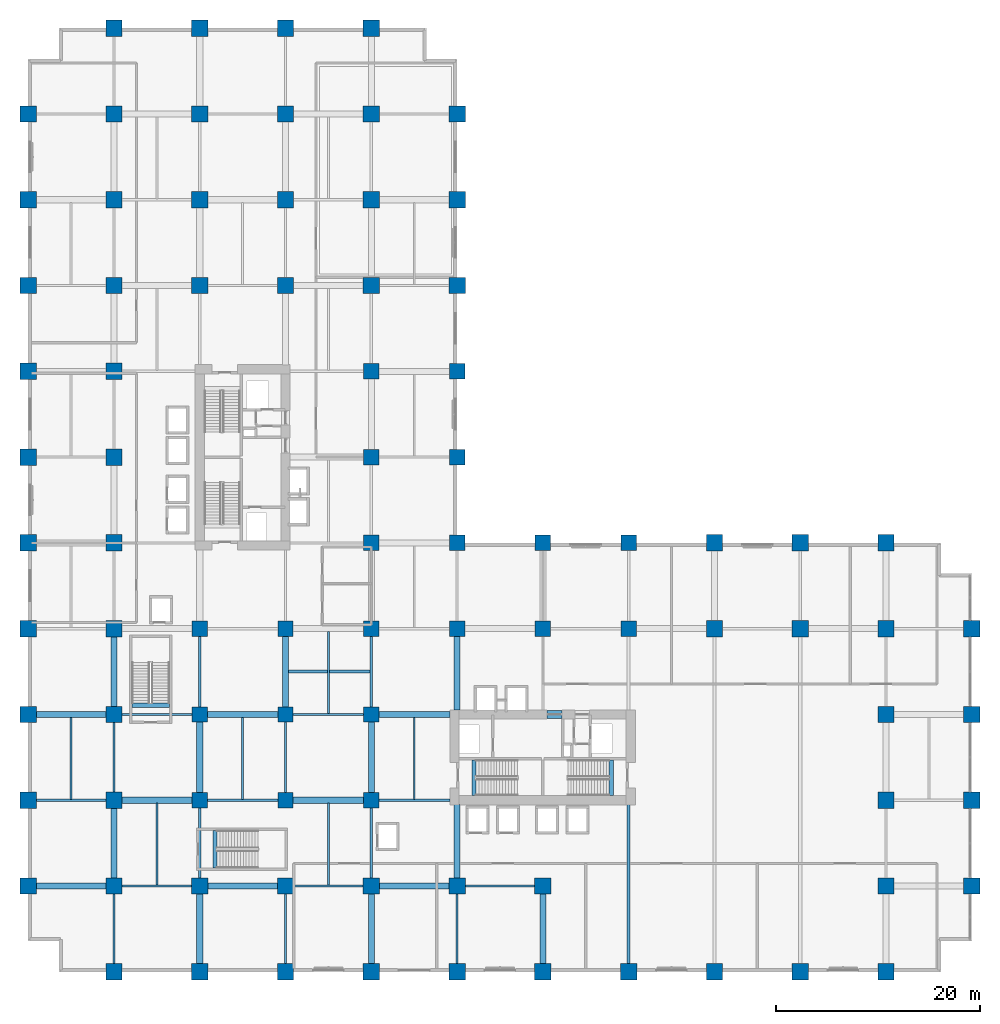
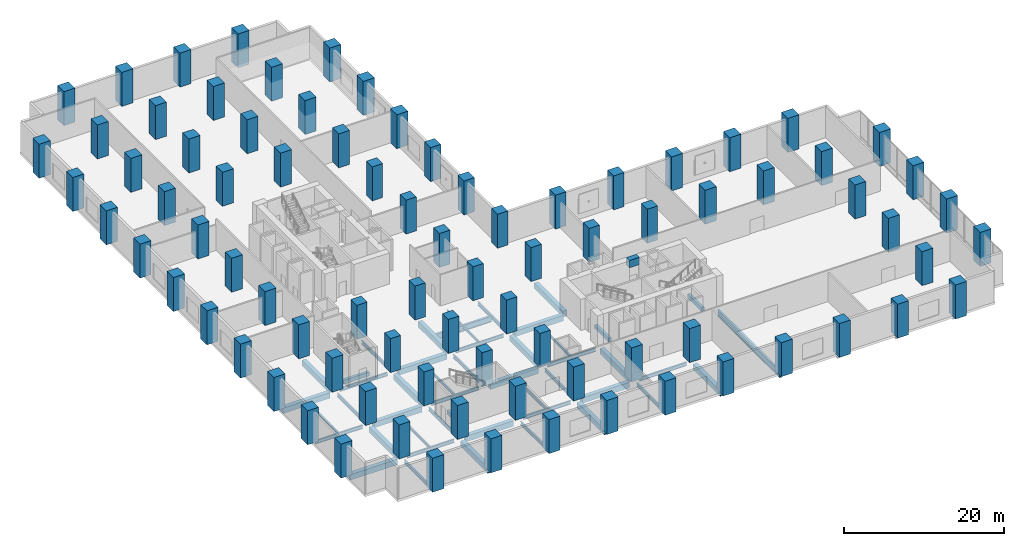
# One storey, part 1 of 23: 84 columns, 48 beams.
"""IFC4 building model written with IfcOpenShell, lengths in metres."""

from ifc_helpers import new_model, si_unit, direction, frame, origin, origin_2d, place, context, subcontext, project, spatial, rectangle, i_section, extrude, material, material_profile, profile_set, type_object, element, save


model = new_model("IFC4")

# Units and contexts
model_context = context("Model", 3, precision=1e-05, world=origin(), true_north=direction((0.0, 1.0)))
body_context = subcontext(model_context, "Body", "Model", "MODEL_VIEW")
ifc_project = project(units=[si_unit("LENGTHUNIT", "METRE"), si_unit("AREAUNIT", "SQUARE_METRE"), si_unit("VOLUMEUNIT", "CUBIC_METRE"), si_unit("PLANEANGLEUNIT", "RADIAN"), si_unit("MASSUNIT", "GRAM", prefix="KILO")], contexts=[model_context])

# Site, building, storey
site_placement = place(None, origin())
site = spatial("IfcSite", under=ifc_project, at=site_placement, CompositionType="ELEMENT")
building_placement = place(site_placement, origin())
building = spatial("IfcBuilding", under=site, at=building_placement, Name="Koriwani Terraces Tower", CompositionType="ELEMENT")
storey_placement = place(building_placement, frame((0.0, 0.0, 20.800048828125)))
storey = spatial("IfcBuildingStorey", under=building, at=storey_placement, Name="L04", CompositionType="ELEMENT", Elevation=20.800048828125)

# Columns
ifc_material_1 = material(Name="Concrete C60/75", Category="concrete")
ifc_material_profile_1 = material_profile(ifc_material_1, rectangle(XDim=1.5, YDim=1.5, at=origin_2d()), Name="Concrete C60/75", Category="LoadBearing")
ifc_profile_set_1 = profile_set([ifc_material_profile_1], Name="Concrete C60/75")
column_type_1 = type_object("IfcColumnType", Name="COL_RC_1500X1500", PredefinedType="COLUMN", material=ifc_profile_set_1)
for number, where, z_axis, x_axis, name in (
    (1, (16.800048828125, 16.800048828125, 0.0), (0.0, 0.0, 1.0), (1.0, 0.0, 0.0), "L04 Column 3/C"),
    (2, (16.800048828125, 25.199951171875, 0.0), (0.0, 0.0, 1.0), (1.0, 0.0, 0.0), "L04 Column 3/D"),
    (3, (16.800048828125, 33.60009765625, 0.0), (0.0, 0.0, 1.0), (1.0, 0.0, 0.0), "L04 Column 3/E"),
    (4, (25.199951171875, 16.800048828125, 0.0), (0.0, 0.0, 1.0), (1.0, 0.0, 0.0), "L04 Column 4/C"),
    (5, (25.199951171875, 25.199951171875, 0.0), (0.0, 0.0, 1.0), (1.0, 0.0, 0.0), "L04 Column 4/D"),
    (6, (25.199951171875, 33.60009765625, 0.0), (0.0, 0.0, 1.0), (1.0, 0.0, 0.0), "L04 Column 4/E"),
    (7, (33.60009765625, 16.800048828125, 0.0), (0.0, 0.0, 1.0), (1.0, 0.0, 0.0), "L04 Column 5/C"),
    (8, (33.60009765625, 25.199951171875, 0.0), (0.0, 0.0, 1.0), (1.0, 0.0, 0.0), "L04 Column 5/D"),
    (9, (33.60009765625, 33.60009765625, 0.0), (0.0, 0.0, 1.0), (1.0, 0.0, 0.0), "L04 Column 5/E"),
    (10, (33.60009765625, 42.0, 0.0), (0.0, 0.0, 1.0), (1.0, 0.0, 0.0), "L04 Column 5/F"),
    (11, (33.60009765625, 50.39990234375, 0.0), (0.0, 0.0, 1.0), (1.0, 0.0, 0.0), "L04 Column 5/G"),
    (12, (33.60009765625, 58.800048828125, 0.0), (0.0, 0.0, 1.0), (1.0, 0.0, 0.0), "L04 Column 5/H"),
    (13, (42.0, 33.60009765625, 0.0), (0.0, 0.0, 1.0), (1.0, 0.0, 0.0), "L04 Column 6/E"),
    (14, (42.0, 42.0, 0.0), (0.0, 0.0, 1.0), (1.0, 0.0, 0.0), "L04 Column 6/F"),
    (15, (42.0, 50.39990234375, 0.0), (0.0, 0.0, 1.0), (1.0, 0.0, 0.0), "L04 Column 6/G"),
    (16, (42.0, 58.800048828125, 0.0), (0.0, 0.0, 1.0), (1.0, 0.0, 0.0), "L04 Column 6/H"),
    (17, (50.39990234375, 33.60009765625, 0.0), (0.0, 0.0, 1.0), (1.0, 0.0, 0.0), "L04 Column 7/E"),
    (18, (50.39990234375, 42.0, 0.0), (0.0, 0.0, 1.0), (1.0, 0.0, 0.0), "L04 Column 7/F"),
    (19, (58.800048828125, 33.60009765625, 0.0), (0.0, 0.0, 1.0), (1.0, 0.0, 0.0), "L04 Column 8/E"),
    (20, (58.800048828125, 42.0, 0.0), (0.0, 0.0, 1.0), (1.0, 0.0, 0.0), "L04 Column 8/F"),
):
    element("IfcColumn", number, at=place(storey_placement, frame(where, z_axis=z_axis, x_axis=x_axis)), inside=storey, type_object=column_type_1, Name=name, PredefinedType="COLUMN", context=body_context, shape_type="SweptSolid", body=[
        extrude(rectangle(XDim=1.5, YDim=1.5, at=origin_2d()), origin(), (0.0, 0.0, 1.0), 5.199951171875),
    ])
ifc_material_profile_2 = material_profile(ifc_material_1, rectangle(XDim=1.60009765625, YDim=1.60009765625, at=origin_2d()), Name="Concrete C60/75", Category="LoadBearing")
ifc_profile_set_2 = profile_set([ifc_material_profile_2], Name="Concrete C60/75")
column_type_2 = type_object("IfcColumnType", Name="COL_RC_1600X1600", PredefinedType="COLUMN", material=ifc_profile_set_2)
for number, where, z_axis, x_axis, name in (
    (21, (0.0, 8.39990234375, 0.0), (0.0, 0.0, 1.0), (1.0, 0.0, 0.0), "L04 Column 1/B"),
    (22, (0.0, 16.800048828125, 0.0), (0.0, 0.0, 1.0), (1.0, 0.0, 0.0), "L04 Column 1/C"),
    (23, (0.0, 25.199951171875, 0.0), (0.0, 0.0, 1.0), (1.0, 0.0, 0.0), "L04 Column 1/D"),
    (24, (0.0, 33.60009765625, 0.0), (0.0, 0.0, 1.0), (1.0, 0.0, 0.0), "L04 Column 1/E"),
    (25, (0.0, 42.0, 0.0), (0.0, 0.0, 1.0), (1.0, 0.0, 0.0), "L04 Column 1/F"),
    (26, (0.0, 50.39990234375, 0.0), (0.0, 0.0, 1.0), (1.0, 0.0, 0.0), "L04 Column 1/G"),
    (27, (0.0, 58.800048828125, 0.0), (0.0, 0.0, 1.0), (1.0, 0.0, 0.0), "L04 Column 1/H"),
    (28, (0.0, 67.199951171875, 0.0), (0.0, 0.0, 1.0), (1.0, 0.0, 0.0), "L04 Column 1/I"),
    (29, (0.0, 75.60009765625, 0.0), (0.0, 0.0, 1.0), (1.0, 0.0, 0.0), "L04 Column 1/J"),
    (30, (0.0, 84.0, 0.0), (0.0, 0.0, 1.0), (1.0, 0.0, 0.0), "L04 Column 1/K"),
    (31, (8.39990234375, 0.0, 0.0), (0.0, 0.0, 1.0), (1.0, 0.0, 0.0), "L04 Column 2/A"),
    (32, (8.39990234375, 8.39990234375, 0.0), (0.0, 0.0, 1.0), (1.0, 0.0, 0.0), "L04 Column 2/B"),
    (33, (8.39990234375, 16.800048828125, 0.0), (0.0, 0.0, 1.0), (1.0, 0.0, 0.0), "L04 Column 2/C"),
    (34, (8.39990234375, 25.199951171875, 0.0), (0.0, 0.0, 1.0), (1.0, 0.0, 0.0), "L04 Column 2/D"),
    (35, (8.39990234375, 33.60009765625, 0.0), (0.0, 0.0, 1.0), (1.0, 0.0, 0.0), "L04 Column 2/E"),
    (36, (8.39990234375, 42.0, 0.0), (0.0, 0.0, 1.0), (1.0, 0.0, 0.0), "L04 Column 2/F"),
    (37, (8.39990234375, 50.39990234375, 0.0), (0.0, 0.0, 1.0), (1.0, 0.0, 0.0), "L04 Column 2/G"),
    (38, (8.39990234375, 58.800048828125, 0.0), (0.0, 0.0, 1.0), (1.0, 0.0, 0.0), "L04 Column 2/H"),
    (39, (8.39990234375, 67.199951171875, 0.0), (0.0, 0.0, 1.0), (1.0, 0.0, 0.0), "L04 Column 2/I"),
    (40, (8.39990234375, 75.60009765625, 0.0), (0.0, 0.0, 1.0), (1.0, 0.0, 0.0), "L04 Column 2/J"),
    (41, (8.39990234375, 84.0, 0.0), (0.0, 0.0, 1.0), (1.0, 0.0, 0.0), "L04 Column 2/K"),
    (42, (8.39990234375, 92.39990234375, 0.0), (0.0, 0.0, 1.0), (1.0, 0.0, 0.0), "L04 Column 2/L"),
    (43, (16.800048828125, 0.0, 0.0), (0.0, 0.0, 1.0), (1.0, 0.0, 0.0), "L04 Column 3/A"),
    (44, (16.800048828125, 8.39990234375, 0.0), (0.0, 0.0, 1.0), (1.0, 0.0, 0.0), "L04 Column 3/B"),
    (45, (16.800048828125, 67.199951171875, 0.0), (0.0, 0.0, 1.0), (1.0, 0.0, 0.0), "L04 Column 3/I"),
    (46, (16.800048828125, 75.60009765625, 0.0), (0.0, 0.0, 1.0), (1.0, 0.0, 0.0), "L04 Column 3/J"),
    (47, (16.800048828125, 84.0, 0.0), (0.0, 0.0, 1.0), (1.0, 0.0, 0.0), "L04 Column 3/K"),
    (48, (16.800048828125, 92.39990234375, 0.0), (0.0, 0.0, 1.0), (1.0, 0.0, 0.0), "L04 Column 3/L"),
    (49, (25.199951171875, 0.0, 0.0), (0.0, 0.0, 1.0), (1.0, 0.0, 0.0), "L04 Column 4/A"),
    (50, (25.199951171875, 8.39990234375, 0.0), (0.0, 0.0, 1.0), (1.0, 0.0, 0.0), "L04 Column 4/B"),
    (51, (25.199951171875, 67.199951171875, 0.0), (0.0, 0.0, 1.0), (1.0, 0.0, 0.0), "L04 Column 4/I"),
    (52, (25.199951171875, 75.60009765625, 0.0), (0.0, 0.0, 1.0), (1.0, 0.0, 0.0), "L04 Column 4/J"),
    (53, (25.199951171875, 84.0, 0.0), (0.0, 0.0, 1.0), (1.0, 0.0, 0.0), "L04 Column 4/K"),
    (54, (25.199951171875, 92.39990234375, 0.0), (0.0, 0.0, 1.0), (1.0, 0.0, 0.0), "L04 Column 4/L"),
    (55, (33.60009765625, 0.0, 0.0), (0.0, 0.0, 1.0), (1.0, 0.0, 0.0), "L04 Column 5/A"),
    (56, (33.60009765625, 8.39990234375, 0.0), (0.0, 0.0, 1.0), (1.0, 0.0, 0.0), "L04 Column 5/B"),
    (57, (33.60009765625, 67.199951171875, 0.0), (0.0, 0.0, 1.0), (1.0, 0.0, 0.0), "L04 Column 5/I"),
    (58, (33.60009765625, 75.60009765625, 0.0), (0.0, 0.0, 1.0), (1.0, 0.0, 0.0), "L04 Column 5/J"),
    (59, (33.60009765625, 84.0, 0.0), (0.0, 0.0, 1.0), (1.0, 0.0, 0.0), "L04 Column 5/K"),
    (60, (33.60009765625, 92.39990234375, 0.0), (0.0, 0.0, 1.0), (1.0, 0.0, 0.0), "L04 Column 5/L"),
    (61, (42.0, 0.0, 0.0), (0.0, 0.0, 1.0), (1.0, 0.0, 0.0), "L04 Column 6/A"),
    (62, (42.0, 8.39990234375, 0.0), (0.0, 0.0, 1.0), (1.0, 0.0, 0.0), "L04 Column 6/B"),
    (63, (42.0, 67.199951171875, 0.0), (0.0, 0.0, 1.0), (1.0, 0.0, 0.0), "L04 Column 6/I"),
    (64, (42.0, 75.60009765625, 0.0), (0.0, 0.0, 1.0), (1.0, 0.0, 0.0), "L04 Column 6/J"),
    (65, (42.0, 84.0, 0.0), (0.0, 0.0, 1.0), (1.0, 0.0, 0.0), "L04 Column 6/K"),
    (66, (50.39990234375, 0.0, 0.0), (0.0, 0.0, 1.0), (1.0, 0.0, 0.0), "L04 Column 7/A"),
    (67, (50.39990234375, 8.39990234375, 0.0), (0.0, 0.0, 1.0), (1.0, 0.0, 0.0), "L04 Column 7/B"),
    (68, (58.800048828125, 0.0, 0.0), (0.0, 0.0, 1.0), (1.0, 0.0, 0.0), "L04 Column 8/A"),
    (69, (67.199951171875, 0.0, 0.0), (0.0, 0.0, 1.0), (1.0, 0.0, 0.0), "L04 Column 9/A"),
    (70, (67.199951171875, 33.60009765625, 0.0), (0.0, 0.0, 1.0), (1.0, 0.0, 0.0), "L04 Column 9/E"),
    (71, (67.199951171875, 42.0, 0.0), (0.0, 0.0, 1.0), (1.0, 0.0, 0.0), "L04 Column 9/F"),
    (72, (75.60009765625, 0.0, 0.0), (0.0, 0.0, 1.0), (1.0, 0.0, 0.0), "L04 Column 10/A"),
    (73, (75.60009765625, 33.60009765625, 0.0), (0.0, 0.0, 1.0), (1.0, 0.0, 0.0), "L04 Column 10/E"),
    (74, (75.60009765625, 42.0, 0.0), (0.0, 0.0, 1.0), (1.0, 0.0, 0.0), "L04 Column 10/F"),
    (75, (84.0, 0.0, 0.0), (0.0, 0.0, 1.0), (1.0, 0.0, 0.0), "L04 Column 11/A"),
    (76, (84.0, 8.39990234375, 0.0), (0.0, 0.0, 1.0), (1.0, 0.0, 0.0), "L04 Column 11/B"),
    (77, (84.0, 16.800048828125, 0.0), (0.0, 0.0, 1.0), (1.0, 0.0, 0.0), "L04 Column 11/C"),
    (78, (84.0, 25.199951171875, 0.0), (0.0, 0.0, 1.0), (1.0, 0.0, 0.0), "L04 Column 11/D"),
    (79, (84.0, 33.60009765625, 0.0), (0.0, 0.0, 1.0), (1.0, 0.0, 0.0), "L04 Column 11/E"),
    (80, (84.0, 42.0, 0.0), (0.0, 0.0, 1.0), (1.0, 0.0, 0.0), "L04 Column 11/F"),
    (81, (92.39990234375, 8.39990234375, 0.0), (0.0, 0.0, 1.0), (1.0, 0.0, 0.0), "L04 Column 12/B"),
    (82, (92.39990234375, 16.800048828125, 0.0), (0.0, 0.0, 1.0), (1.0, 0.0, 0.0), "L04 Column 12/C"),
    (83, (92.39990234375, 25.199951171875, 0.0), (0.0, 0.0, 1.0), (1.0, 0.0, 0.0), "L04 Column 12/D"),
    (84, (92.39990234375, 33.60009765625, 0.0), (0.0, 0.0, 1.0), (1.0, 0.0, 0.0), "L04 Column 12/E"),
):
    element("IfcColumn", number, at=place(storey_placement, frame(where, z_axis=z_axis, x_axis=x_axis)), inside=storey, type_object=column_type_2, Name=name, PredefinedType="COLUMN", context=body_context, shape_type="SweptSolid", body=[
        extrude(rectangle(XDim=1.60009765625, YDim=1.60009765625, at=origin_2d()), origin(), (0.0, 0.0, 1.0), 5.199951171875),
    ])

# Beams
ifc_material_profile_3 = material_profile(ifc_material_1, rectangle(XDim=0.800048828125, YDim=1.10009765625, at=origin_2d()), Name="Concrete C60/75", Category="LoadBearing")
ifc_profile_set_3 = profile_set([ifc_material_profile_3], Name="Concrete C60/75")
beam_type_1 = type_object("IfcBeamType", Name="BEAM_RC_COUPLING_800X1100", PredefinedType="LINTEL", material=ifc_profile_set_3)
beam_1_placement = place(storey_placement, frame((50.800048828125, 25.199951171875, 4.199951171875), z_axis=(1.0, 0.0, 0.0), x_axis=(0.0, 1.0, 0.0)))
element("IfcBeam", 85, at=beam_1_placement, inside=storey, type_object=beam_type_1, Name="L04 Core Coupling Lintel Beam EN1", PredefinedType="LINTEL", context=body_context, shape_type="SweptSolid", body=[
    extrude(rectangle(XDim=0.800048828125, YDim=1.10009765625, at=origin_2d()), origin(), (0.0, 0.0, 1.0), 1.47998046875),
])
ifc_material_2 = material(Name="Concrete C40/50", Category="concrete")
ifc_material_profile_4 = material_profile(ifc_material_2, rectangle(XDim=0.39990234375, YDim=0.60009765625, at=origin_2d()), Name="Concrete C40/50", Category="LoadBearing")
ifc_profile_set_4 = profile_set([ifc_material_profile_4], Name="Concrete C40/50")
beam_type_2 = type_object("IfcBeamType", Name="BEAM_RC_GRID_400X600", PredefinedType="BEAM", material=ifc_profile_set_4)
for number, where, z_axis, x_axis, name in (
    (86, (43.655029296875, 17.25, -0.300048828125), (0.0, 1.0, 0.0), (-1.0, 0.0, 0.0), "L04 Stairwell Header Trimmer Beam ST-E1"),
    (87, (57.094970703125, 17.25, -0.300048828125), (0.0, 1.0, 0.0), (-1.0, 0.0, 0.0), "L04 Stairwell Header Trimmer Beam ST-E2"),
):
    element("IfcBeam", number, at=place(storey_placement, frame(where, z_axis=z_axis, x_axis=x_axis)), inside=storey, type_object=beam_type_2, Name=name, PredefinedType="BEAM", context=body_context, shape_type="SweptSolid", body=[
        extrude(rectangle(XDim=0.39990234375, YDim=0.60009765625, at=origin_2d()), origin(), (0.0, 0.0, 1.0), 3.5),
    ])
for number, where, z_axis, x_axis, name in (
    (88, (10.14990234375, 26.10498046875, -0.300048828125), (1.0, 0.0, 0.0), (0.0, 1.0, 0.0), "L04 Stairwell Header Trimmer Beam ST-P1"),
    (89, (18.304931640625, 10.14990234375, -0.300048828125), (0.0, 1.0, 0.0), (-1.0, 0.0, 0.0), "L04 Stairwell Header Trimmer Beam ST-P2"),
):
    element("IfcBeam", number, at=place(storey_placement, frame(where, z_axis=z_axis, x_axis=x_axis)), inside=storey, type_object=beam_type_2, Name=name, PredefinedType="BEAM", context=body_context, shape_type="SweptSolid", body=[
        extrude(rectangle(XDim=0.39990234375, YDim=0.60009765625, at=origin_2d()), origin(), (0.0, 0.0, 1.0), 3.7001953125),
    ])
ifc_material_profile_5 = material_profile(ifc_material_1, rectangle(XDim=0.60009765625, YDim=0.85009765625, at=origin_2d()), Name="Concrete C60/75", Category="LoadBearing")
ifc_profile_set_5 = profile_set([ifc_material_profile_5], Name="Concrete C60/75")
beam_type_3 = type_object("IfcBeamType", Name="BEAM_RC_GRID_600X850", PredefinedType="BEAM", material=ifc_profile_set_5)
beam_2_placement = place(storey_placement, frame((0.780029296875, 8.39990234375, -0.775146484375), z_axis=(1.0, 0.0, 0.0), x_axis=(0.0, 1.0, 0.0)))
element("IfcBeam", 90, at=beam_2_placement, inside=storey, type_object=beam_type_3, Name="L04 Grid Beam B (0.0-8.4m)", PredefinedType="BEAM", context=body_context, shape_type="SweptSolid", body=[
    extrude(rectangle(XDim=0.60009765625, YDim=0.85009765625, at=origin_2d()), origin(), (0.0, 0.0, 1.0), 6.840087890625),
])
beam_3_placement = place(storey_placement, frame((17.580078125, 8.39990234375, -0.775146484375), z_axis=(1.0, 0.0, 0.0), x_axis=(0.0, 1.0, 0.0)))
element("IfcBeam", 91, at=beam_3_placement, inside=storey, type_object=beam_type_3, Name="L04 Grid Beam B (16.8-25.2m)", PredefinedType="BEAM", context=body_context, shape_type="SweptSolid", body=[
    extrude(rectangle(XDim=0.60009765625, YDim=0.85009765625, at=origin_2d()), origin(), (0.0, 0.0, 1.0), 6.83984375),
])
beam_4_placement = place(storey_placement, frame((34.3798828125, 8.39990234375, -0.775146484375), z_axis=(1.0, 0.0, 0.0), x_axis=(0.0, 1.0, 0.0)))
element("IfcBeam", 92, at=beam_4_placement, inside=storey, type_object=beam_type_3, Name="L04 Grid Beam B (33.6-42.0m)", PredefinedType="BEAM", context=body_context, shape_type="SweptSolid", body=[
    extrude(rectangle(XDim=0.60009765625, YDim=0.85009765625, at=origin_2d()), origin(), (0.0, 0.0, 1.0), 6.840087890625),
])
beam_5_placement = place(storey_placement, frame((9.179931640625, 16.800048828125, -0.775146484375), z_axis=(1.0, 0.0, 0.0), x_axis=(0.0, 1.0, 0.0)))
element("IfcBeam", 93, at=beam_5_placement, inside=storey, type_object=beam_type_3, Name="L04 Grid Beam C (8.4-16.8m)", PredefinedType="BEAM", context=body_context, shape_type="SweptSolid", body=[
    extrude(rectangle(XDim=0.60009765625, YDim=0.85009765625, at=origin_2d()), origin(), (0.0, 0.0, 1.0), 6.89013671875),
])
beam_6_placement = place(storey_placement, frame((25.929931640625, 16.800048828125, -0.775146484375), z_axis=(1.0, 0.0, 0.0), x_axis=(0.0, 1.0, 0.0)))
element("IfcBeam", 94, at=beam_6_placement, inside=storey, type_object=beam_type_3, Name="L04 Grid Beam C (25.2-33.6m)", PredefinedType="BEAM", context=body_context, shape_type="SweptSolid", body=[
    extrude(rectangle(XDim=0.60009765625, YDim=0.85009765625, at=origin_2d()), origin(), (0.0, 0.0, 1.0), 6.940185546875),
])
beam_7_placement = place(storey_placement, frame((0.780029296875, 25.199951171875, -0.775146484375), z_axis=(1.0, 0.0, 0.0), x_axis=(0.0, 1.0, 0.0)))
element("IfcBeam", 95, at=beam_7_placement, inside=storey, type_object=beam_type_3, Name="L04 Grid Beam D (0.0-8.4m)", PredefinedType="BEAM", context=body_context, shape_type="SweptSolid", body=[
    extrude(rectangle(XDim=0.60009765625, YDim=0.85009765625, at=origin_2d()), origin(), (0.0, 0.0, 1.0), 6.840087890625),
])
beam_8_placement = place(storey_placement, frame((17.530029296875, 25.199951171875, -0.775146484375), z_axis=(1.0, 0.0, 0.0), x_axis=(0.0, 1.0, 0.0)))
element("IfcBeam", 96, at=beam_8_placement, inside=storey, type_object=beam_type_3, Name="L04 Grid Beam D (16.8-25.2m)", PredefinedType="BEAM", context=body_context, shape_type="SweptSolid", body=[
    extrude(rectangle(XDim=0.60009765625, YDim=0.85009765625, at=origin_2d()), origin(), (0.0, 0.0, 1.0), 6.93994140625),
])
beam_9_placement = place(storey_placement, frame((34.330078125, 25.199951171875, -0.775146484375), z_axis=(1.0, 0.0, 0.0), x_axis=(0.0, 1.0, 0.0)))
element("IfcBeam", 97, at=beam_9_placement, inside=storey, type_object=beam_type_3, Name="L04 Grid Beam D (33.6-42.0m)", PredefinedType="BEAM", context=body_context, shape_type="SweptSolid", body=[
    extrude(rectangle(XDim=0.60009765625, YDim=0.85009765625, at=origin_2d()), origin(), (0.0, 0.0, 1.0), 6.989990234375),
])
for number, where, z_axis, x_axis, name in (
    (98, (8.39990234375, 9.179931640625, -0.775146484375), (0.0, 1.0, 0.0), (-1.0, 0.0, 0.0), "L04 Grid Beam 2 (8.4-16.8m)"),
    (99, (8.39990234375, 25.97998046875, -0.775146484375), (0.0, 1.0, 0.0), (-1.0, 0.0, 0.0), "L04 Grid Beam 2 (25.2-33.6m)"),
    (100, (16.800048828125, 0.780029296875, -0.775146484375), (0.0, 1.0, 0.0), (-1.0, 0.0, 0.0), "L04 Grid Beam 3 (0.0-8.4m)"),
):
    element("IfcBeam", number, at=place(storey_placement, frame(where, z_axis=z_axis, x_axis=x_axis)), inside=storey, type_object=beam_type_3, Name=name, PredefinedType="BEAM", context=body_context, shape_type="SweptSolid", body=[
        extrude(rectangle(XDim=0.60009765625, YDim=0.85009765625, at=origin_2d()), origin(), (0.0, 0.0, 1.0), 6.840087890625),
    ])
beam_10_placement = place(storey_placement, frame((16.800048828125, 17.530029296875, -0.775146484375), z_axis=(0.0, 1.0, 0.0), x_axis=(-1.0, 0.0, 0.0)))
element("IfcBeam", 101, at=beam_10_placement, inside=storey, type_object=beam_type_3, Name="L04 Grid Beam 3 (16.8-25.2m)", PredefinedType="BEAM", context=body_context, shape_type="SweptSolid", body=[
    extrude(rectangle(XDim=0.60009765625, YDim=0.85009765625, at=origin_2d()), origin(), (0.0, 0.0, 1.0), 6.93994140625),
])
beam_11_placement = place(storey_placement, frame((25.199951171875, 25.929931640625, -0.775146484375), z_axis=(0.0, 1.0, 0.0), x_axis=(-1.0, 0.0, 0.0)))
element("IfcBeam", 102, at=beam_11_placement, inside=storey, type_object=beam_type_3, Name="L04 Grid Beam 4 (25.2-33.6m)", PredefinedType="BEAM", context=body_context, shape_type="SweptSolid", body=[
    extrude(rectangle(XDim=0.60009765625, YDim=0.85009765625, at=origin_2d()), origin(), (0.0, 0.0, 1.0), 6.940185546875),
])
beam_12_placement = place(storey_placement, frame((33.60009765625, 0.780029296875, -0.775146484375), z_axis=(0.0, 1.0, 0.0), x_axis=(-1.0, 0.0, 0.0)))
element("IfcBeam", 103, at=beam_12_placement, inside=storey, type_object=beam_type_3, Name="L04 Grid Beam 5 (0.0-8.4m)", PredefinedType="BEAM", context=body_context, shape_type="SweptSolid", body=[
    extrude(rectangle(XDim=0.60009765625, YDim=0.85009765625, at=origin_2d()), origin(), (0.0, 0.0, 1.0), 6.840087890625),
])
beam_13_placement = place(storey_placement, frame((33.60009765625, 17.530029296875, -0.775146484375), z_axis=(0.0, 1.0, 0.0), x_axis=(-1.0, 0.0, 0.0)))
element("IfcBeam", 104, at=beam_13_placement, inside=storey, type_object=beam_type_3, Name="L04 Grid Beam 5 (16.8-25.2m)", PredefinedType="BEAM", context=body_context, shape_type="SweptSolid", body=[
    extrude(rectangle(XDim=0.60009765625, YDim=0.85009765625, at=origin_2d()), origin(), (0.0, 0.0, 1.0), 6.93994140625),
])
beam_14_placement = place(storey_placement, frame((42.0, 9.179931640625, -0.775146484375), z_axis=(0.0, 1.0, 0.0), x_axis=(-1.0, 0.0, 0.0)))
element("IfcBeam", 105, at=beam_14_placement, inside=storey, type_object=beam_type_3, Name="L04 Grid Beam 6 (8.4-16.8m)", PredefinedType="BEAM", context=body_context, shape_type="SweptSolid", body=[
    extrude(rectangle(XDim=0.60009765625, YDim=0.85009765625, at=origin_2d()), origin(), (0.0, 0.0, 1.0), 7.190185546875),
])
beam_15_placement = place(storey_placement, frame((42.0, 25.6298828125, -0.775146484375), z_axis=(0.0, 1.0, 0.0), x_axis=(-1.0, 0.0, 0.0)))
element("IfcBeam", 106, at=beam_15_placement, inside=storey, type_object=beam_type_3, Name="L04 Grid Beam 6 (25.2-33.6m)", PredefinedType="BEAM", context=body_context, shape_type="SweptSolid", body=[
    extrude(rectangle(XDim=0.60009765625, YDim=0.85009765625, at=origin_2d()), origin(), (0.0, 0.0, 1.0), 7.240234375),
])
beam_16_placement = place(storey_placement, frame((50.39990234375, 0.780029296875, -0.775146484375), z_axis=(0.0, 1.0, 0.0), x_axis=(-1.0, 0.0, 0.0)))
element("IfcBeam", 107, at=beam_16_placement, inside=storey, type_object=beam_type_3, Name="L04 Grid Beam 7 (0.0-8.4m)", PredefinedType="BEAM", context=body_context, shape_type="SweptSolid", body=[
    extrude(rectangle(XDim=0.60009765625, YDim=0.85009765625, at=origin_2d()), origin(), (0.0, 0.0, 1.0), 6.840087890625),
])
ifc_material_3 = material(Name="Steel ASTM A572 Grade 50", Category="steel")
ifc_material_profile_6 = material_profile(ifc_material_3, i_section(OverallWidth=0.300048828125, OverallDepth=0.989990234375, WebThickness=0.0166015625, FlangeThickness=0.031005859375, at=origin_2d()), Name="Steel ASTM A572 Grade 50", Category="LoadBearing")
ifc_profile_set_6 = profile_set([ifc_material_profile_6], Name="Steel ASTM A572 Grade 50")
beam_type_4 = type_object("IfcBeamType", Name="STEEL_BEAM_W1000X321", PredefinedType="USERDEFINED", material=ifc_profile_set_6)
beam_17_placement = place(storey_placement, frame((58.800048828125, 0.780029296875, -0.844970703125), z_axis=(0.0, 1.0, 0.0), x_axis=(-1.0, 0.0, 0.0)))
element("IfcBeam", 108, at=beam_17_placement, inside=storey, type_object=beam_type_4, Name="L04 Grand Ballroom Clear-Span Steel Girder X=58.8m S", ObjectType="GIRDER", PredefinedType="USERDEFINED", context=body_context, shape_type="SweptSolid", body=[
    extrude(i_section(OverallWidth=0.300048828125, OverallDepth=0.989990234375, WebThickness=0.0166015625, FlangeThickness=0.031005859375, at=origin_2d()), origin(), (0.0, 0.0, 1.0), 15.590087890625),
])
ifc_material_profile_7 = material_profile(ifc_material_3, i_section(OverallWidth=0.180908203125, OverallDepth=0.4169921875, WebThickness=0.010986328125, FlangeThickness=0.018310546875, at=origin_2d()), Name="Steel ASTM A572 Grade 50", Category="LoadBearing")
ifc_profile_set_7 = profile_set([ifc_material_profile_7], Name="Steel ASTM A572 Grade 50")
beam_type_5 = type_object("IfcBeamType", Name="STEEL_BEAM_W410X85", PredefinedType="JOIST", material=ifc_profile_set_7)
for number, where, z_axis, x_axis, name in (
    (109, (4.199951171875, 16.89599609375, -0.55859375), (0.0, 1.0, 0.0), (-1.0, 0.0, 0.0), "L04 Secondary Steel Floor Joist X=4.2m"),
    (110, (12.60009765625, 8.49609375, -0.55859375), (0.0, 1.0, 0.0), (-1.0, 0.0, 0.0), "L04 Secondary Steel Floor Joist X=12.6m"),
    (111, (21.0, 16.89599609375, -0.55859375), (0.0, 1.0, 0.0), (-1.0, 0.0, 0.0), "L04 Secondary Steel Floor Joist X=21.0m"),
    (112, (29.39990234375, 8.49609375, -0.55859375), (0.0, 1.0, 0.0), (-1.0, 0.0, 0.0), "L04 Secondary Steel Floor Joist X=29.4m"),
):
    element("IfcBeam", number, at=place(storey_placement, frame(where, z_axis=z_axis, x_axis=x_axis)), inside=storey, type_object=beam_type_5, Name=name, PredefinedType="JOIST", context=body_context, shape_type="SweptSolid", body=[
        extrude(i_section(OverallWidth=0.180908203125, OverallDepth=0.4169921875, WebThickness=0.010986328125, FlangeThickness=0.018310546875, at=origin_2d()), origin(), (0.0, 0.0, 1.0), 8.013916015625),
    ])
beam_18_placement = place(storey_placement, frame((29.39990234375, 25.2958984375, -0.55859375), z_axis=(0.0, 1.0, 0.0), x_axis=(-1.0, 0.0, 0.0)))
element("IfcBeam", 113, at=beam_18_placement, inside=storey, type_object=beam_type_5, Name="L04 Secondary Steel Floor Joist X=29.4m", PredefinedType="JOIST", context=body_context, shape_type="SweptSolid", body=[
    extrude(i_section(OverallWidth=0.180908203125, OverallDepth=0.4169921875, WebThickness=0.010986328125, FlangeThickness=0.018310546875, at=origin_2d()), origin(), (0.0, 0.0, 1.0), 8.01416015625),
])
beam_19_placement = place(storey_placement, frame((37.800048828125, 16.89599609375, -0.55859375), z_axis=(0.0, 1.0, 0.0), x_axis=(-1.0, 0.0, 0.0)))
element("IfcBeam", 114, at=beam_19_placement, inside=storey, type_object=beam_type_5, Name="L04 Secondary Steel Floor Joist X=37.8m", PredefinedType="JOIST", context=body_context, shape_type="SweptSolid", body=[
    extrude(i_section(OverallWidth=0.180908203125, OverallDepth=0.4169921875, WebThickness=0.010986328125, FlangeThickness=0.018310546875, at=origin_2d()), origin(), (0.0, 0.0, 1.0), 8.013916015625),
])
ifc_material_profile_8 = material_profile(ifc_material_3, i_section(OverallWidth=0.2119140625, OverallDepth=0.54296875, WebThickness=0.0126953125, FlangeThickness=0.021240234375, at=origin_2d()), Name="Steel ASTM A572 Grade 50", Category="LoadBearing")
ifc_profile_set_8 = profile_set([ifc_material_profile_8], Name="Steel ASTM A572 Grade 50")
beam_type_6 = type_object("IfcBeamType", Name="STEEL_BEAM_W530X150", PredefinedType="BEAM", material=ifc_profile_set_8)
for number, where, z_axis, x_axis, name in (
    (115, (9.179931640625, 8.39990234375, -0.62158203125), (1.0, 0.0, 0.0), (0.0, 1.0, 0.0), "L04 Grid Beam B (8.4-16.8m)"),
    (116, (25.97998046875, 8.39990234375, -0.62158203125), (1.0, 0.0, 0.0), (0.0, 1.0, 0.0), "L04 Grid Beam B (25.2-33.6m)"),
    (117, (42.780029296875, 8.39990234375, -0.62158203125), (1.0, 0.0, 0.0), (0.0, 1.0, 0.0), "L04 Grid Beam B (42.0-50.4m)"),
    (118, (0.780029296875, 16.800048828125, -0.62158203125), (1.0, 0.0, 0.0), (0.0, 1.0, 0.0), "L04 Grid Beam C (0.0-8.4m)"),
):
    element("IfcBeam", number, at=place(storey_placement, frame(where, z_axis=z_axis, x_axis=x_axis)), inside=storey, type_object=beam_type_6, Name=name, PredefinedType="BEAM", context=body_context, shape_type="SweptSolid", body=[
        extrude(i_section(OverallWidth=0.2119140625, OverallDepth=0.54296875, WebThickness=0.0126953125, FlangeThickness=0.021240234375, at=origin_2d()), origin(), (0.0, 0.0, 1.0), 6.840087890625),
    ])
beam_20_placement = place(storey_placement, frame((17.530029296875, 16.800048828125, -0.62158203125), z_axis=(1.0, 0.0, 0.0), x_axis=(0.0, 1.0, 0.0)))
element("IfcBeam", 119, at=beam_20_placement, inside=storey, type_object=beam_type_6, Name="L04 Grid Beam C (16.8-25.2m)", PredefinedType="BEAM", context=body_context, shape_type="SweptSolid", body=[
    extrude(i_section(OverallWidth=0.2119140625, OverallDepth=0.54296875, WebThickness=0.0126953125, FlangeThickness=0.021240234375, at=origin_2d()), origin(), (0.0, 0.0, 1.0), 6.93994140625),
])
beam_21_placement = place(storey_placement, frame((34.330078125, 16.800048828125, -0.62158203125), z_axis=(1.0, 0.0, 0.0), x_axis=(0.0, 1.0, 0.0)))
element("IfcBeam", 120, at=beam_21_placement, inside=storey, type_object=beam_type_6, Name="L04 Grid Beam C (33.6-42.0m)", PredefinedType="BEAM", context=body_context, shape_type="SweptSolid", body=[
    extrude(i_section(OverallWidth=0.2119140625, OverallDepth=0.54296875, WebThickness=0.0126953125, FlangeThickness=0.021240234375, at=origin_2d()), origin(), (0.0, 0.0, 1.0), 6.989990234375),
])
beam_22_placement = place(storey_placement, frame((9.179931640625, 25.199951171875, -0.62158203125), z_axis=(1.0, 0.0, 0.0), x_axis=(0.0, 1.0, 0.0)))
element("IfcBeam", 121, at=beam_22_placement, inside=storey, type_object=beam_type_6, Name="L04 Grid Beam D (8.4-16.8m)", PredefinedType="BEAM", context=body_context, shape_type="SweptSolid", body=[
    extrude(i_section(OverallWidth=0.2119140625, OverallDepth=0.54296875, WebThickness=0.0126953125, FlangeThickness=0.021240234375, at=origin_2d()), origin(), (0.0, 0.0, 1.0), 6.89013671875),
])
beam_23_placement = place(storey_placement, frame((25.929931640625, 25.199951171875, -0.62158203125), z_axis=(1.0, 0.0, 0.0), x_axis=(0.0, 1.0, 0.0)))
element("IfcBeam", 122, at=beam_23_placement, inside=storey, type_object=beam_type_6, Name="L04 Grid Beam D (25.2-33.6m)", PredefinedType="BEAM", context=body_context, shape_type="SweptSolid", body=[
    extrude(i_section(OverallWidth=0.2119140625, OverallDepth=0.54296875, WebThickness=0.0126953125, FlangeThickness=0.021240234375, at=origin_2d()), origin(), (0.0, 0.0, 1.0), 6.940185546875),
])
beam_24_placement = place(storey_placement, frame((8.39990234375, 0.780029296875, -0.62158203125), z_axis=(0.0, 1.0, 0.0), x_axis=(-1.0, 0.0, 0.0)))
element("IfcBeam", 123, at=beam_24_placement, inside=storey, type_object=beam_type_6, Name="L04 Grid Beam 2 (0.0-8.4m)", PredefinedType="BEAM", context=body_context, shape_type="SweptSolid", body=[
    extrude(i_section(OverallWidth=0.2119140625, OverallDepth=0.54296875, WebThickness=0.0126953125, FlangeThickness=0.021240234375, at=origin_2d()), origin(), (0.0, 0.0, 1.0), 6.840087890625),
])
beam_25_placement = place(storey_placement, frame((8.39990234375, 17.580078125, -0.62158203125), z_axis=(0.0, 1.0, 0.0), x_axis=(-1.0, 0.0, 0.0)))
element("IfcBeam", 124, at=beam_25_placement, inside=storey, type_object=beam_type_6, Name="L04 Grid Beam 2 (16.8-25.2m)", PredefinedType="BEAM", context=body_context, shape_type="SweptSolid", body=[
    extrude(i_section(OverallWidth=0.2119140625, OverallDepth=0.54296875, WebThickness=0.0126953125, FlangeThickness=0.021240234375, at=origin_2d()), origin(), (0.0, 0.0, 1.0), 6.83984375),
])
beam_26_placement = place(storey_placement, frame((16.800048828125, 9.179931640625, -0.62158203125), z_axis=(0.0, 1.0, 0.0), x_axis=(-1.0, 0.0, 0.0)))
element("IfcBeam", 125, at=beam_26_placement, inside=storey, type_object=beam_type_6, Name="L04 Grid Beam 3 (8.4-16.8m)", PredefinedType="BEAM", context=body_context, shape_type="SweptSolid", body=[
    extrude(i_section(OverallWidth=0.2119140625, OverallDepth=0.54296875, WebThickness=0.0126953125, FlangeThickness=0.021240234375, at=origin_2d()), origin(), (0.0, 0.0, 1.0), 6.89013671875),
])
beam_27_placement = place(storey_placement, frame((16.800048828125, 25.929931640625, -0.62158203125), z_axis=(0.0, 1.0, 0.0), x_axis=(-1.0, 0.0, 0.0)))
element("IfcBeam", 126, at=beam_27_placement, inside=storey, type_object=beam_type_6, Name="L04 Grid Beam 3 (25.2-33.6m)", PredefinedType="BEAM", context=body_context, shape_type="SweptSolid", body=[
    extrude(i_section(OverallWidth=0.2119140625, OverallDepth=0.54296875, WebThickness=0.0126953125, FlangeThickness=0.021240234375, at=origin_2d()), origin(), (0.0, 0.0, 1.0), 6.940185546875),
])
beam_28_placement = place(storey_placement, frame((25.199951171875, 0.780029296875, -0.62158203125), z_axis=(0.0, 1.0, 0.0), x_axis=(-1.0, 0.0, 0.0)))
element("IfcBeam", 127, at=beam_28_placement, inside=storey, type_object=beam_type_6, Name="L04 Grid Beam 4 (0.0-8.4m)", PredefinedType="BEAM", context=body_context, shape_type="SweptSolid", body=[
    extrude(i_section(OverallWidth=0.2119140625, OverallDepth=0.54296875, WebThickness=0.0126953125, FlangeThickness=0.021240234375, at=origin_2d()), origin(), (0.0, 0.0, 1.0), 6.840087890625),
])
beam_29_placement = place(storey_placement, frame((25.199951171875, 17.530029296875, -0.62158203125), z_axis=(0.0, 1.0, 0.0), x_axis=(-1.0, 0.0, 0.0)))
element("IfcBeam", 128, at=beam_29_placement, inside=storey, type_object=beam_type_6, Name="L04 Grid Beam 4 (16.8-25.2m)", PredefinedType="BEAM", context=body_context, shape_type="SweptSolid", body=[
    extrude(i_section(OverallWidth=0.2119140625, OverallDepth=0.54296875, WebThickness=0.0126953125, FlangeThickness=0.021240234375, at=origin_2d()), origin(), (0.0, 0.0, 1.0), 6.93994140625),
])
beam_30_placement = place(storey_placement, frame((33.60009765625, 9.179931640625, -0.62158203125), z_axis=(0.0, 1.0, 0.0), x_axis=(-1.0, 0.0, 0.0)))
element("IfcBeam", 129, at=beam_30_placement, inside=storey, type_object=beam_type_6, Name="L04 Grid Beam 5 (8.4-16.8m)", PredefinedType="BEAM", context=body_context, shape_type="SweptSolid", body=[
    extrude(i_section(OverallWidth=0.2119140625, OverallDepth=0.54296875, WebThickness=0.0126953125, FlangeThickness=0.021240234375, at=origin_2d()), origin(), (0.0, 0.0, 1.0), 6.89013671875),
])
beam_31_placement = place(storey_placement, frame((33.60009765625, 25.929931640625, -0.62158203125), z_axis=(0.0, 1.0, 0.0), x_axis=(-1.0, 0.0, 0.0)))
element("IfcBeam", 130, at=beam_31_placement, inside=storey, type_object=beam_type_6, Name="L04 Grid Beam 5 (25.2-33.6m)", PredefinedType="BEAM", context=body_context, shape_type="SweptSolid", body=[
    extrude(i_section(OverallWidth=0.2119140625, OverallDepth=0.54296875, WebThickness=0.0126953125, FlangeThickness=0.021240234375, at=origin_2d()), origin(), (0.0, 0.0, 1.0), 6.940185546875),
])
beam_32_placement = place(storey_placement, frame((42.0, 0.780029296875, -0.62158203125), z_axis=(0.0, 1.0, 0.0), x_axis=(-1.0, 0.0, 0.0)))
element("IfcBeam", 131, at=beam_32_placement, inside=storey, type_object=beam_type_6, Name="L04 Grid Beam 6 (0.0-8.4m)", PredefinedType="BEAM", context=body_context, shape_type="SweptSolid", body=[
    extrude(i_section(OverallWidth=0.2119140625, OverallDepth=0.54296875, WebThickness=0.0126953125, FlangeThickness=0.021240234375, at=origin_2d()), origin(), (0.0, 0.0, 1.0), 6.840087890625),
])
ifc_material_profile_9 = material_profile(ifc_material_3, i_section(OverallWidth=0.306884765625, OverallDepth=0.912109375, WebThickness=0.01953125, FlangeThickness=0.031982421875, at=origin_2d()), Name="Steel ASTM A572 Grade 50", Category="LoadBearing")
ifc_profile_set_9 = profile_set([ifc_material_profile_9], Name="Steel ASTM A572 Grade 50")
beam_type_7 = type_object("IfcBeamType", Name="STEEL_BEAM_W920X342", PredefinedType="USERDEFINED", material=ifc_profile_set_9)
beam_33_placement = place(storey_placement, frame((25.280029296875, 29.39990234375, -0.80615234375), z_axis=(1.0, 0.0, 0.0), x_axis=(0.0, 1.0, 0.0)))
element("IfcBeam", 132, at=beam_33_placement, inside=storey, type_object=beam_type_7, Name="L04 Podium Collector Steel Girder (STEEL_BEAM_W920X342)", ObjectType="GIRDER", PredefinedType="USERDEFINED", context=body_context, shape_type="SweptSolid", body=[
    extrude(i_section(OverallWidth=0.306884765625, OverallDepth=0.912109375, WebThickness=0.01953125, FlangeThickness=0.031982421875, at=origin_2d()), origin(), (0.0, 0.0, 1.0), 8.239990234375),
])

save(model, "model.ifc")
